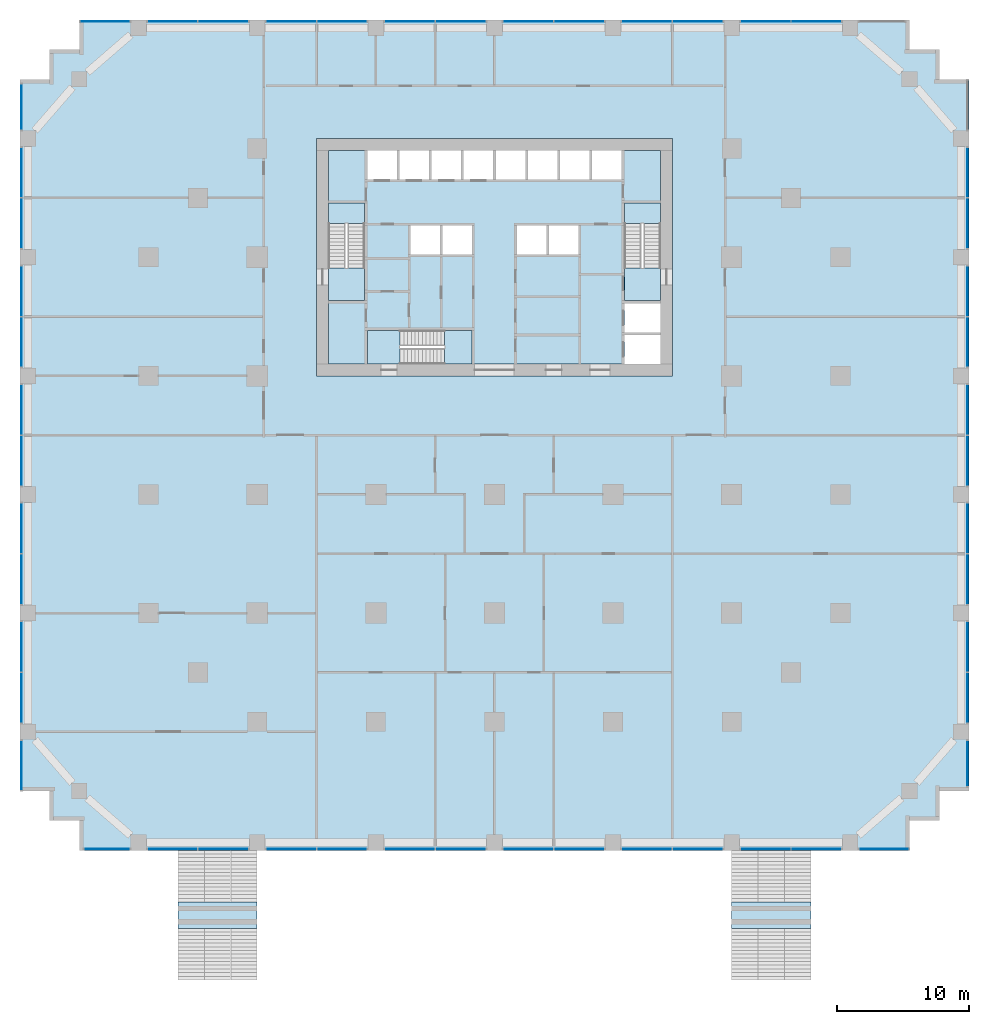
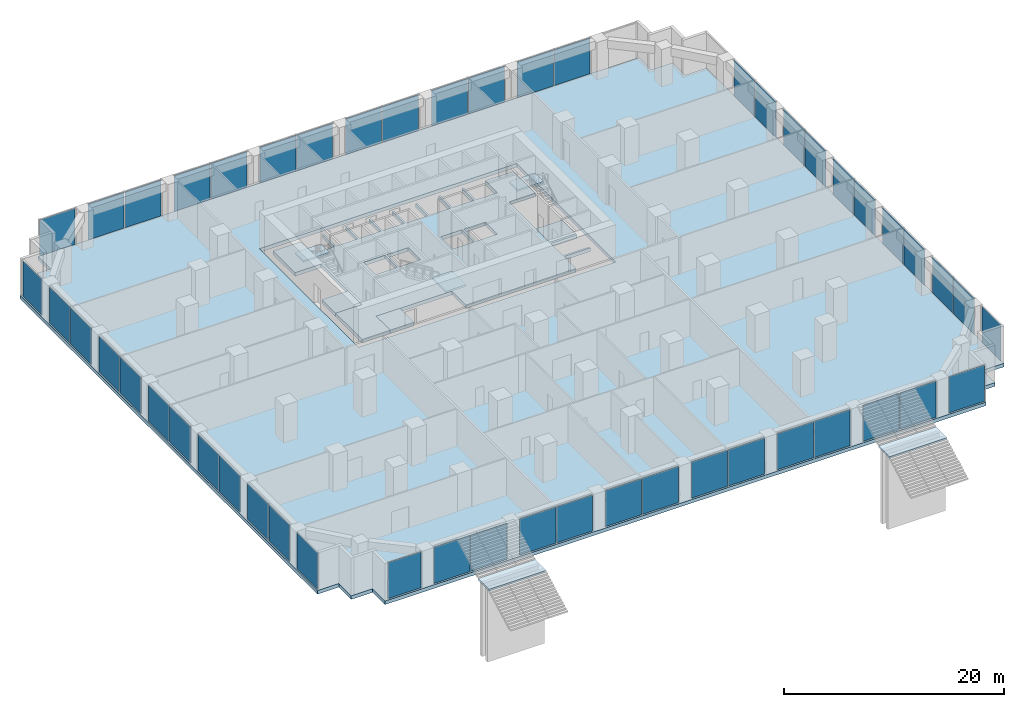
# One storey, part 10 of 18: 50 plates, 10 slabs, 33 elements without a shape of their own.
"""IFC4 building model written with IfcOpenShell, lengths in metres."""

from ifc_helpers import new_model, si_unit, direction, frame, origin, origin_2d, place, context, subcontext, project, spatial, polyline, rectangle, outline, extrude, material, layer, layer_set, type_object, element, aggregate, save


model = new_model("IFC4")

# Units and contexts
model_context = context("Model", 3, precision=1e-05, world=origin(), true_north=direction((0.0, 1.0)))
body_context = subcontext(model_context, "Body", "Model", "MODEL_VIEW")
ifc_project = project(units=[si_unit("LENGTHUNIT", "METRE"), si_unit("AREAUNIT", "SQUARE_METRE"), si_unit("VOLUMEUNIT", "CUBIC_METRE"), si_unit("PLANEANGLEUNIT", "RADIAN"), si_unit("MASSUNIT", "GRAM", prefix="KILO")], contexts=[model_context])

# Site, building, storey
site_placement = place(None, origin())
site = spatial("IfcSite", under=ifc_project, at=site_placement, CompositionType="ELEMENT")
building_placement = place(site_placement, origin())
building = spatial("IfcBuilding", under=site, at=building_placement, Name="Orbiselva Terraces", CompositionType="ELEMENT")
storey_placement = place(building_placement, frame((0.0, 0.0, 6.0)))
storey = spatial("IfcBuildingStorey", under=building, at=storey_placement, Name="L01", CompositionType="ELEMENT", Elevation=6.0)

# Slabs
ifc_material_1 = material(Name="Concrete C40/50", Category="concrete")
ifc_layer_1 = layer(ifc_material_1, 0.4)
ifc_layer_set_1 = layer_set([ifc_layer_1], Name="Concrete C40/50")
slab_type_1 = type_object("IfcSlabType", Name="CORE-SLAB-FLOOR-400", PredefinedType="FLOOR", material=ifc_layer_set_1)
slab_1_placement = place(storey_placement, frame((0.0, 0.0, -0.4)))
element("IfcSlab", 1, at=slab_1_placement, inside=storey, type_object=slab_type_1, Name="L01 S1 floor landing", PredefinedType="FLOOR", context=body_context, shape_type="SweptSolid", body=[
    extrude(outline(polyline([(-12.6, 12.7), (-9.85, 12.7), (-9.85, 10.2), (-12.6, 10.2), (-12.6, 12.7)])), origin(), (0.0, 0.0, 1.0), 0.4),
])
slab_2_placement = place(storey_placement, frame((0.0, 0.0, -0.4)))
element("IfcSlab", 2, at=slab_2_placement, inside=storey, type_object=slab_type_1, Name="L01 S2 floor landing", PredefinedType="FLOOR", context=body_context, shape_type="SweptSolid", body=[
    extrude(outline(polyline([(12.6, 12.7), (12.6, 10.2), (9.85, 10.2), (9.85, 12.7), (12.6, 12.7)])), origin(), (0.0, 0.0, 1.0), 0.4),
])
slab_3_placement = place(storey_placement, frame((0.0, 0.0, -0.4)))
element("IfcSlab", 3, at=slab_3_placement, inside=storey, type_object=slab_type_1, Name="L01 S3 floor landing", PredefinedType="FLOOR", context=body_context, shape_type="SweptSolid", body=[
    extrude(outline(polyline([(-7.15, 5.4), (-9.65, 5.4), (-9.65, 7.95), (-7.15, 7.95), (-7.15, 5.4)])), origin(), (0.0, 0.0, 1.0), 0.4),
])
slab_4_placement = place(storey_placement, frame((0.0, 0.0, -0.4)))
element("IfcSlab", 4, at=slab_4_placement, inside=storey, type_object=slab_type_1, Name="L01 core floor slab 1", PredefinedType="FLOOR", context=body_context, shape_type="SweptSolid", body=[
    extrude(outline(polyline([(-1.7, 5.4), (-1.7, 7.95), (-9.65, 7.95), (-9.65, 5.4), (-12.6, 5.4), (-12.6, 10.2), (-9.85, 10.2), (-9.85, 17.6), (-12.6, 17.6), (-12.6, 21.6), (-9.65, 21.6), (-9.65, 19.4), (-7.4125, 19.4), (-7.4125, 21.6), (-7.2125, 21.6), (-7.2125, 19.4), (-4.975, 19.4), (-4.975, 21.6), (-4.775, 21.6), (-4.775, 19.4), (-2.5375, 19.4), (-2.5375, 21.6), (-2.3375, 21.6), (-2.3375, 19.4), (-0.1, 19.4), (-0.1, 21.6), (0.1, 21.6), (0.1, 19.4), (2.3375, 19.4), (2.3375, 21.6), (2.5375, 21.6), (2.5375, 19.4), (4.775, 19.4), (4.775, 21.6), (4.975, 21.6), (4.975, 19.4), (7.2125, 19.4), (7.2125, 21.6), (7.4125, 21.6), (7.4125, 19.4), (9.65, 19.4), (9.65, 21.6), (12.6, 21.6), (12.6, 17.6), (9.85, 17.6), (9.85, 10.2), (12.6, 10.2), (12.6, 10.0), (9.85, 10.0), (9.85, 7.8), (12.6, 7.8), (12.6, 7.6), (9.85, 7.6), (9.85, 5.4), (-1.7, 5.4)]), holes=[polyline([(-4.1375, 13.7), (-4.1375, 15.9), (-6.375, 15.9), (-6.375, 13.7), (-4.1375, 13.7)]), polyline([(-1.7, 13.7), (-1.7, 15.9), (-3.9375, 15.9), (-3.9375, 13.7), (-1.7, 13.7)]), polyline([(3.9375, 13.7), (3.9375, 15.9), (1.7, 15.9), (1.7, 13.7), (3.9375, 13.7)]), polyline([(6.375, 13.7), (6.375, 15.9), (4.1375, 15.9), (4.1375, 13.7), (6.375, 13.7)])]), origin(), (0.0, 0.0, 1.0), 0.4),
])

# Stair, slab
stair_type_1 = type_object("IfcStairType", Name="CORE-STAIR-1300", PredefinedType="HALF_TURN_STAIR", material=ifc_material_1)
stair_1_placement = place(storey_placement, origin())
stair_1 = element("IfcStair", 5, at=stair_1_placement, inside=storey, type_object=stair_type_1, Name="L01 Exit Stair S1", PredefinedType="HALF_TURN_STAIR")
ifc_layer_2 = layer(ifc_material_1, 0.2)
ifc_layer_set_2 = layer_set([ifc_layer_2], Name="Concrete C40/50")
slab_type_2 = type_object("IfcSlabType", Name="CORE-STAIR-LANDING-200", PredefinedType="LANDING", material=ifc_layer_set_2)
slab_5_placement = place(storey_placement, frame((0.0, 0.0, 2.05)))
slab_5 = element("IfcSlab", 6, at=slab_5_placement, type_object=slab_type_2, Name="S1 landing 1", PredefinedType="LANDING", context=body_context, shape_type="SweptSolid", body=[
    extrude(outline(polyline([(-9.85, 16.06), (-9.85, 17.6), (-12.6, 17.6), (-12.6, 16.06), (-9.85, 16.06)])), origin(), (0.0, 0.0, 1.0), 0.2),
])
aggregate(stair_1, [slab_5])

stair_2_placement = place(storey_placement, origin())
stair_2 = element("IfcStair", 7, at=stair_2_placement, inside=storey, type_object=stair_type_1, Name="L01 Exit Stair S2", PredefinedType="HALF_TURN_STAIR")
slab_6_placement = place(storey_placement, frame((0.0, 0.0, 2.05)))
slab_6 = element("IfcSlab", 8, at=slab_6_placement, type_object=slab_type_2, Name="S2 landing 1", PredefinedType="LANDING", context=body_context, shape_type="SweptSolid", body=[
    extrude(outline(polyline([(12.6, 16.06), (12.6, 17.6), (9.85, 17.6), (9.85, 16.06), (12.6, 16.06)])), origin(), (0.0, 0.0, 1.0), 0.2),
])
aggregate(stair_2, [slab_6])

stair_type_2 = type_object("IfcStairType", Name="CORE-STAIR-1200", PredefinedType="HALF_TURN_STAIR", material=ifc_material_1)
stair_3_placement = place(storey_placement, origin())
stair_3 = element("IfcStair", 9, at=stair_3_placement, inside=storey, type_object=stair_type_2, Name="L01 Exit Stair S3", PredefinedType="HALF_TURN_STAIR")
slab_7_placement = place(storey_placement, frame((0.0, 0.0, 2.05)))
slab_7 = element("IfcSlab", 10, at=slab_7_placement, type_object=slab_type_2, Name="S3 landing 1", PredefinedType="LANDING", context=body_context, shape_type="SweptSolid", body=[
    extrude(outline(polyline([(-3.79, 5.4), (-1.7, 5.4), (-1.7, 7.95), (-3.79, 7.95), (-3.79, 5.4)])), origin(), (0.0, 0.0, 1.0), 0.2),
])
aggregate(stair_3, [slab_7])

stair_type_3 = type_object("IfcStairType", Name="ENV-BROAD-STAIR", PredefinedType="STRAIGHT_RUN_STAIR", material=ifc_material_1)
stair_4_placement = place(storey_placement, origin())
stair_4 = element("IfcStair", 11, at=stair_4_placement, inside=storey, type_object=stair_type_3, Name="Broad stair 1 upper", PredefinedType="STRAIGHT_RUN_STAIR")
ifc_layer_3 = layer(ifc_material_1, 0.2)
ifc_layer_set_3 = layer_set([ifc_layer_3], Name="Concrete C40/50")
slab_type_3 = type_object("IfcSlabType", Name="ENV-BROAD-STAIR-LANDING-200", PredefinedType="LANDING", material=ifc_layer_set_3)
slab_8_placement = place(storey_placement, frame((0.0, 0.0, 2.05)))
slab_8 = element("IfcSlab", 12, at=slab_8_placement, type_object=slab_type_3, Name="BR1 landing 1", PredefinedType="LANDING", context=body_context, shape_type="SweptSolid", body=[
    extrude(outline(polyline([(-24.0, -37.42), (-18.0, -37.42), (-18.0, -35.42), (-24.0, -35.42), (-24.0, -37.42)])), origin(), (0.0, 0.0, 1.0), 0.2),
])
aggregate(stair_4, [slab_8])

stair_5_placement = place(storey_placement, origin())
stair_5 = element("IfcStair", 13, at=stair_5_placement, inside=storey, type_object=stair_type_3, Name="Broad stair 2 upper", PredefinedType="STRAIGHT_RUN_STAIR")
slab_9_placement = place(storey_placement, frame((0.0, 0.0, 2.05)))
slab_9 = element("IfcSlab", 14, at=slab_9_placement, type_object=slab_type_3, Name="BR1 landing 1", PredefinedType="LANDING", context=body_context, shape_type="SweptSolid", body=[
    extrude(outline(polyline([(18.0, -37.42), (24.0, -37.42), (24.0, -35.42), (18.0, -35.42), (18.0, -37.42)])), origin(), (0.0, 0.0, 1.0), 0.2),
])
aggregate(stair_5, [slab_9])

# Curtain wall, plate
ifc_material_2 = material(Name="Clear low-e glazing in aluminium frame", Category="aluminium")
curtain_wall_type = type_object("IfcCurtainWallType", Name="ENV-CW-LOBBY", PredefinedType="NOTDEFINED", material=ifc_material_2)
curtain_wall_1_placement = place(storey_placement, origin())
curtain_wall_1 = element("IfcCurtainWall", 15, at=curtain_wall_1_placement, inside=storey, type_object=curtain_wall_type, Name="Curtain wall L01 S", PredefinedType="NOTDEFINED")
ifc_material_3 = material(Name="Clear low-e glass", Category="glass")
ifc_layer_4 = layer(ifc_material_3, 0.028)
ifc_layer_set_4 = layer_set([ifc_layer_4], Name="Clear low-e glass")
plate_type = type_object("IfcPlateType", Name="ENV-CW-LOBBY-PANEL-28", PredefinedType="CURTAIN_PANEL", material=ifc_layer_set_4)
plate_1_placement = place(storey_placement, frame((-29.4, -31.4, 0.075), z_axis=(0.0, 0.0, 1.0), x_axis=(1.0, 0.0, 0.0)))
plate_1 = element("IfcPlate", 16, at=plate_1_placement, type_object=plate_type, Name="CW1 panel 1.1", PredefinedType="CURTAIN_PANEL", context=body_context, shape_type="SweptSolid", body=[
    extrude(rectangle(XDim=3.45, YDim=0.028, at=origin_2d()), origin(), (0.0, 0.0, 1.0), 4.0),
])
aggregate(curtain_wall_1, [plate_1])

# Curtain wall, plates
curtain_wall_2_placement = place(storey_placement, origin())
curtain_wall_2 = element("IfcCurtainWall", 17, at=curtain_wall_2_placement, inside=storey, type_object=curtain_wall_type, Name="Curtain wall L01 S", PredefinedType="NOTDEFINED")
plate_2_placement = place(storey_placement, frame((-24.43125, -31.4, 0.075), z_axis=(0.0, 0.0, 1.0), x_axis=(1.0, 0.0, 0.0)))
plate_2 = element("IfcPlate", 18, at=plate_2_placement, type_object=plate_type, Name="CW1 panel 1.1", PredefinedType="CURTAIN_PANEL", context=body_context, shape_type="SweptSolid", body=[
    extrude(rectangle(XDim=3.7875, YDim=0.028, at=origin_2d()), origin(), (0.0, 0.0, 1.0), 4.0),
])
plate_3_placement = place(storey_placement, frame((-20.56875, -31.4, 0.075), z_axis=(0.0, 0.0, 1.0), x_axis=(1.0, 0.0, 0.0)))
plate_3 = element("IfcPlate", 19, at=plate_3_placement, type_object=plate_type, Name="CW1 panel 2.1", PredefinedType="CURTAIN_PANEL", context=body_context, shape_type="SweptSolid", body=[
    extrude(rectangle(XDim=3.7875, YDim=0.028, at=origin_2d()), origin(), (0.0, 0.0, 1.0), 4.0),
])
aggregate(curtain_wall_2, [plate_2, plate_3])

curtain_wall_3_placement = place(storey_placement, origin())
curtain_wall_3 = element("IfcCurtainWall", 20, at=curtain_wall_3_placement, inside=storey, type_object=curtain_wall_type, Name="Curtain wall L01 S", PredefinedType="NOTDEFINED")
plate_4_placement = place(storey_placement, frame((-15.43125, -31.4, 0.075), z_axis=(0.0, 0.0, 1.0), x_axis=(1.0, 0.0, 0.0)))
plate_4 = element("IfcPlate", 21, at=plate_4_placement, type_object=plate_type, Name="CW1 panel 1.1", PredefinedType="CURTAIN_PANEL", context=body_context, shape_type="SweptSolid", body=[
    extrude(rectangle(XDim=3.7875, YDim=0.028, at=origin_2d()), origin(), (0.0, 0.0, 1.0), 4.0),
])
plate_5_placement = place(storey_placement, frame((-11.56875, -31.4, 0.075), z_axis=(0.0, 0.0, 1.0), x_axis=(1.0, 0.0, 0.0)))
plate_5 = element("IfcPlate", 22, at=plate_5_placement, type_object=plate_type, Name="CW1 panel 2.1", PredefinedType="CURTAIN_PANEL", context=body_context, shape_type="SweptSolid", body=[
    extrude(rectangle(XDim=3.7875, YDim=0.028, at=origin_2d()), origin(), (0.0, 0.0, 1.0), 4.0),
])
aggregate(curtain_wall_3, [plate_4, plate_5])

curtain_wall_4_placement = place(storey_placement, origin())
curtain_wall_4 = element("IfcCurtainWall", 23, at=curtain_wall_4_placement, inside=storey, type_object=curtain_wall_type, Name="Curtain wall L01 S", PredefinedType="NOTDEFINED")
plate_6_placement = place(storey_placement, frame((-6.43125, -31.4, 0.075), z_axis=(0.0, 0.0, 1.0), x_axis=(1.0, 0.0, 0.0)))
plate_6 = element("IfcPlate", 24, at=plate_6_placement, type_object=plate_type, Name="CW1 panel 1.1", PredefinedType="CURTAIN_PANEL", context=body_context, shape_type="SweptSolid", body=[
    extrude(rectangle(XDim=3.7875, YDim=0.028, at=origin_2d()), origin(), (0.0, 0.0, 1.0), 4.0),
])
plate_7_placement = place(storey_placement, frame((-2.56875, -31.4, 0.075), z_axis=(0.0, 0.0, 1.0), x_axis=(1.0, 0.0, 0.0)))
plate_7 = element("IfcPlate", 25, at=plate_7_placement, type_object=plate_type, Name="CW1 panel 2.1", PredefinedType="CURTAIN_PANEL", context=body_context, shape_type="SweptSolid", body=[
    extrude(rectangle(XDim=3.7875, YDim=0.028, at=origin_2d()), origin(), (0.0, 0.0, 1.0), 4.0),
])
aggregate(curtain_wall_4, [plate_6, plate_7])

curtain_wall_5_placement = place(storey_placement, origin())
curtain_wall_5 = element("IfcCurtainWall", 26, at=curtain_wall_5_placement, inside=storey, type_object=curtain_wall_type, Name="Curtain wall L01 S", PredefinedType="NOTDEFINED")
plate_8_placement = place(storey_placement, frame((2.56875, -31.4, 0.075), z_axis=(0.0, 0.0, 1.0), x_axis=(1.0, 0.0, 0.0)))
plate_8 = element("IfcPlate", 27, at=plate_8_placement, type_object=plate_type, Name="CW1 panel 1.1", PredefinedType="CURTAIN_PANEL", context=body_context, shape_type="SweptSolid", body=[
    extrude(rectangle(XDim=3.7875, YDim=0.028, at=origin_2d()), origin(), (0.0, 0.0, 1.0), 4.0),
])
plate_9_placement = place(storey_placement, frame((6.43125, -31.4, 0.075), z_axis=(0.0, 0.0, 1.0), x_axis=(1.0, 0.0, 0.0)))
plate_9 = element("IfcPlate", 28, at=plate_9_placement, type_object=plate_type, Name="CW1 panel 2.1", PredefinedType="CURTAIN_PANEL", context=body_context, shape_type="SweptSolid", body=[
    extrude(rectangle(XDim=3.7875, YDim=0.028, at=origin_2d()), origin(), (0.0, 0.0, 1.0), 4.0),
])
aggregate(curtain_wall_5, [plate_8, plate_9])

curtain_wall_6_placement = place(storey_placement, origin())
curtain_wall_6 = element("IfcCurtainWall", 29, at=curtain_wall_6_placement, inside=storey, type_object=curtain_wall_type, Name="Curtain wall L01 S", PredefinedType="NOTDEFINED")
plate_10_placement = place(storey_placement, frame((11.56875, -31.4, 0.075), z_axis=(0.0, 0.0, 1.0), x_axis=(1.0, 0.0, 0.0)))
plate_10 = element("IfcPlate", 30, at=plate_10_placement, type_object=plate_type, Name="CW1 panel 1.1", PredefinedType="CURTAIN_PANEL", context=body_context, shape_type="SweptSolid", body=[
    extrude(rectangle(XDim=3.7875, YDim=0.028, at=origin_2d()), origin(), (0.0, 0.0, 1.0), 4.0),
])
plate_11_placement = place(storey_placement, frame((15.43125, -31.4, 0.075), z_axis=(0.0, 0.0, 1.0), x_axis=(1.0, 0.0, 0.0)))
plate_11 = element("IfcPlate", 31, at=plate_11_placement, type_object=plate_type, Name="CW1 panel 2.1", PredefinedType="CURTAIN_PANEL", context=body_context, shape_type="SweptSolid", body=[
    extrude(rectangle(XDim=3.7875, YDim=0.028, at=origin_2d()), origin(), (0.0, 0.0, 1.0), 4.0),
])
aggregate(curtain_wall_6, [plate_10, plate_11])

curtain_wall_7_placement = place(storey_placement, origin())
curtain_wall_7 = element("IfcCurtainWall", 32, at=curtain_wall_7_placement, inside=storey, type_object=curtain_wall_type, Name="Curtain wall L01 S", PredefinedType="NOTDEFINED")
plate_12_placement = place(storey_placement, frame((20.56875, -31.4, 0.075), z_axis=(0.0, 0.0, 1.0), x_axis=(1.0, 0.0, 0.0)))
plate_12 = element("IfcPlate", 33, at=plate_12_placement, type_object=plate_type, Name="CW1 panel 1.1", PredefinedType="CURTAIN_PANEL", context=body_context, shape_type="SweptSolid", body=[
    extrude(rectangle(XDim=3.7875, YDim=0.028, at=origin_2d()), origin(), (0.0, 0.0, 1.0), 4.0),
])
plate_13_placement = place(storey_placement, frame((24.43125, -31.4, 0.075), z_axis=(0.0, 0.0, 1.0), x_axis=(1.0, 0.0, 0.0)))
plate_13 = element("IfcPlate", 34, at=plate_13_placement, type_object=plate_type, Name="CW1 panel 2.1", PredefinedType="CURTAIN_PANEL", context=body_context, shape_type="SweptSolid", body=[
    extrude(rectangle(XDim=3.7875, YDim=0.028, at=origin_2d()), origin(), (0.0, 0.0, 1.0), 4.0),
])
aggregate(curtain_wall_7, [plate_12, plate_13])

# Curtain wall, plate
curtain_wall_8_placement = place(storey_placement, origin())
curtain_wall_8 = element("IfcCurtainWall", 35, at=curtain_wall_8_placement, inside=storey, type_object=curtain_wall_type, Name="Curtain wall L01 S", PredefinedType="NOTDEFINED")
plate_14_placement = place(storey_placement, frame((29.55, -31.4, 0.075), z_axis=(0.0, 0.0, 1.0), x_axis=(1.0, 0.0, 0.0)))
plate_14 = element("IfcPlate", 36, at=plate_14_placement, type_object=plate_type, Name="CW1 panel 1.1", PredefinedType="CURTAIN_PANEL", context=body_context, shape_type="SweptSolid", body=[
    extrude(rectangle(XDim=3.75, YDim=0.028, at=origin_2d()), origin(), (0.0, 0.0, 1.0), 4.0),
])
aggregate(curtain_wall_8, [plate_14])

curtain_wall_9_placement = place(storey_placement, origin())
curtain_wall_9 = element("IfcCurtainWall", 37, at=curtain_wall_9_placement, inside=storey, type_object=curtain_wall_type, Name="Curtain wall L01 E", PredefinedType="NOTDEFINED")
plate_15_placement = place(storey_placement, frame((35.9, -24.9, 0.075), z_axis=(0.0, 0.0, 1.0), x_axis=(0.0, 1.0, 0.0)))
plate_15 = element("IfcPlate", 38, at=plate_15_placement, type_object=plate_type, Name="CW1 panel 1.1", PredefinedType="CURTAIN_PANEL", context=body_context, shape_type="SweptSolid", body=[
    extrude(rectangle(XDim=3.45, YDim=0.028, at=origin_2d()), origin(), (0.0, 0.0, 1.0), 4.0),
])
aggregate(curtain_wall_9, [plate_15])

# Curtain wall, plates
curtain_wall_10_placement = place(storey_placement, origin())
curtain_wall_10 = element("IfcCurtainWall", 39, at=curtain_wall_10_placement, inside=storey, type_object=curtain_wall_type, Name="Curtain wall L01 E", PredefinedType="NOTDEFINED")
plate_16_placement = place(storey_placement, frame((35.9, -19.93125, 0.075), z_axis=(0.0, 0.0, 1.0), x_axis=(0.0, 1.0, 0.0)))
plate_16 = element("IfcPlate", 40, at=plate_16_placement, type_object=plate_type, Name="CW1 panel 1.1", PredefinedType="CURTAIN_PANEL", context=body_context, shape_type="SweptSolid", body=[
    extrude(rectangle(XDim=3.7875, YDim=0.028, at=origin_2d()), origin(), (0.0, 0.0, 1.0), 4.0),
])
plate_17_placement = place(storey_placement, frame((35.9, -16.06875, 0.075), z_axis=(0.0, 0.0, 1.0), x_axis=(0.0, 1.0, 0.0)))
plate_17 = element("IfcPlate", 41, at=plate_17_placement, type_object=plate_type, Name="CW1 panel 2.1", PredefinedType="CURTAIN_PANEL", context=body_context, shape_type="SweptSolid", body=[
    extrude(rectangle(XDim=3.7875, YDim=0.028, at=origin_2d()), origin(), (0.0, 0.0, 1.0), 4.0),
])
aggregate(curtain_wall_10, [plate_16, plate_17])

curtain_wall_11_placement = place(storey_placement, origin())
curtain_wall_11 = element("IfcCurtainWall", 42, at=curtain_wall_11_placement, inside=storey, type_object=curtain_wall_type, Name="Curtain wall L01 E", PredefinedType="NOTDEFINED")
plate_18_placement = place(storey_placement, frame((35.9, -10.93125, 0.075), z_axis=(0.0, 0.0, 1.0), x_axis=(0.0, 1.0, 0.0)))
plate_18 = element("IfcPlate", 43, at=plate_18_placement, type_object=plate_type, Name="CW1 panel 1.1", PredefinedType="CURTAIN_PANEL", context=body_context, shape_type="SweptSolid", body=[
    extrude(rectangle(XDim=3.7875, YDim=0.028, at=origin_2d()), origin(), (0.0, 0.0, 1.0), 4.0),
])
plate_19_placement = place(storey_placement, frame((35.9, -7.06875, 0.075), z_axis=(0.0, 0.0, 1.0), x_axis=(0.0, 1.0, 0.0)))
plate_19 = element("IfcPlate", 44, at=plate_19_placement, type_object=plate_type, Name="CW1 panel 2.1", PredefinedType="CURTAIN_PANEL", context=body_context, shape_type="SweptSolid", body=[
    extrude(rectangle(XDim=3.7875, YDim=0.028, at=origin_2d()), origin(), (0.0, 0.0, 1.0), 4.0),
])
aggregate(curtain_wall_11, [plate_18, plate_19])

curtain_wall_12_placement = place(storey_placement, origin())
curtain_wall_12 = element("IfcCurtainWall", 45, at=curtain_wall_12_placement, inside=storey, type_object=curtain_wall_type, Name="Curtain wall L01 E", PredefinedType="NOTDEFINED")
plate_20_placement = place(storey_placement, frame((35.9, -1.93125, 0.075), z_axis=(0.0, 0.0, 1.0), x_axis=(0.0, 1.0, 0.0)))
plate_20 = element("IfcPlate", 46, at=plate_20_placement, type_object=plate_type, Name="CW1 panel 1.1", PredefinedType="CURTAIN_PANEL", context=body_context, shape_type="SweptSolid", body=[
    extrude(rectangle(XDim=3.7875, YDim=0.028, at=origin_2d()), origin(), (0.0, 0.0, 1.0), 4.0),
])
plate_21_placement = place(storey_placement, frame((35.9, 1.93125, 0.075), z_axis=(0.0, 0.0, 1.0), x_axis=(0.0, 1.0, 0.0)))
plate_21 = element("IfcPlate", 47, at=plate_21_placement, type_object=plate_type, Name="CW1 panel 2.1", PredefinedType="CURTAIN_PANEL", context=body_context, shape_type="SweptSolid", body=[
    extrude(rectangle(XDim=3.7875, YDim=0.028, at=origin_2d()), origin(), (0.0, 0.0, 1.0), 4.0),
])
aggregate(curtain_wall_12, [plate_20, plate_21])

curtain_wall_13_placement = place(storey_placement, origin())
curtain_wall_13 = element("IfcCurtainWall", 48, at=curtain_wall_13_placement, inside=storey, type_object=curtain_wall_type, Name="Curtain wall L01 E", PredefinedType="NOTDEFINED")
plate_22_placement = place(storey_placement, frame((35.9, 7.06875, 0.075), z_axis=(0.0, 0.0, 1.0), x_axis=(0.0, 1.0, 0.0)))
plate_22 = element("IfcPlate", 49, at=plate_22_placement, type_object=plate_type, Name="CW1 panel 1.1", PredefinedType="CURTAIN_PANEL", context=body_context, shape_type="SweptSolid", body=[
    extrude(rectangle(XDim=3.7875, YDim=0.028, at=origin_2d()), origin(), (0.0, 0.0, 1.0), 4.0),
])
plate_23_placement = place(storey_placement, frame((35.9, 10.93125, 0.075), z_axis=(0.0, 0.0, 1.0), x_axis=(0.0, 1.0, 0.0)))
plate_23 = element("IfcPlate", 50, at=plate_23_placement, type_object=plate_type, Name="CW1 panel 2.1", PredefinedType="CURTAIN_PANEL", context=body_context, shape_type="SweptSolid", body=[
    extrude(rectangle(XDim=3.7875, YDim=0.028, at=origin_2d()), origin(), (0.0, 0.0, 1.0), 4.0),
])
aggregate(curtain_wall_13, [plate_22, plate_23])

curtain_wall_14_placement = place(storey_placement, origin())
curtain_wall_14 = element("IfcCurtainWall", 51, at=curtain_wall_14_placement, inside=storey, type_object=curtain_wall_type, Name="Curtain wall L01 E", PredefinedType="NOTDEFINED")
plate_24_placement = place(storey_placement, frame((35.9, 16.06875, 0.075), z_axis=(0.0, 0.0, 1.0), x_axis=(0.0, 1.0, 0.0)))
plate_24 = element("IfcPlate", 52, at=plate_24_placement, type_object=plate_type, Name="CW1 panel 1.1", PredefinedType="CURTAIN_PANEL", context=body_context, shape_type="SweptSolid", body=[
    extrude(rectangle(XDim=3.7875, YDim=0.028, at=origin_2d()), origin(), (0.0, 0.0, 1.0), 4.0),
])
plate_25_placement = place(storey_placement, frame((35.9, 19.93125, 0.075), z_axis=(0.0, 0.0, 1.0), x_axis=(0.0, 1.0, 0.0)))
plate_25 = element("IfcPlate", 53, at=plate_25_placement, type_object=plate_type, Name="CW1 panel 2.1", PredefinedType="CURTAIN_PANEL", context=body_context, shape_type="SweptSolid", body=[
    extrude(rectangle(XDim=3.7875, YDim=0.028, at=origin_2d()), origin(), (0.0, 0.0, 1.0), 4.0),
])
aggregate(curtain_wall_14, [plate_24, plate_25])

curtain_wall_15_placement = place(storey_placement, origin())
curtain_wall_15 = element("IfcCurtainWall", 54, at=curtain_wall_15_placement, inside=storey, type_object=curtain_wall_type, Name="Curtain wall L01 N", PredefinedType="NOTDEFINED")
plate_26_placement = place(storey_placement, frame((24.43125, 31.4, 0.075), z_axis=(0.0, 0.0, 1.0), x_axis=(-1.0, 0.0, 0.0)))
plate_26 = element("IfcPlate", 55, at=plate_26_placement, type_object=plate_type, Name="CW1 panel 1.1", PredefinedType="CURTAIN_PANEL", context=body_context, shape_type="SweptSolid", body=[
    extrude(rectangle(XDim=3.7875, YDim=0.028, at=origin_2d()), origin(), (0.0, 0.0, 1.0), 4.0),
])
plate_27_placement = place(storey_placement, frame((20.56875, 31.4, 0.075), z_axis=(0.0, 0.0, 1.0), x_axis=(-1.0, 0.0, 0.0)))
plate_27 = element("IfcPlate", 56, at=plate_27_placement, type_object=plate_type, Name="CW1 panel 2.1", PredefinedType="CURTAIN_PANEL", context=body_context, shape_type="SweptSolid", body=[
    extrude(rectangle(XDim=3.7875, YDim=0.028, at=origin_2d()), origin(), (0.0, 0.0, 1.0), 4.0),
])
aggregate(curtain_wall_15, [plate_26, plate_27])

curtain_wall_16_placement = place(storey_placement, origin())
curtain_wall_16 = element("IfcCurtainWall", 57, at=curtain_wall_16_placement, inside=storey, type_object=curtain_wall_type, Name="Curtain wall L01 N", PredefinedType="NOTDEFINED")
plate_28_placement = place(storey_placement, frame((15.43125, 31.4, 0.075), z_axis=(0.0, 0.0, 1.0), x_axis=(-1.0, 0.0, 0.0)))
plate_28 = element("IfcPlate", 58, at=plate_28_placement, type_object=plate_type, Name="CW1 panel 1.1", PredefinedType="CURTAIN_PANEL", context=body_context, shape_type="SweptSolid", body=[
    extrude(rectangle(XDim=3.7875, YDim=0.028, at=origin_2d()), origin(), (0.0, 0.0, 1.0), 4.0),
])
plate_29_placement = place(storey_placement, frame((11.56875, 31.4, 0.075), z_axis=(0.0, 0.0, 1.0), x_axis=(-1.0, 0.0, 0.0)))
plate_29 = element("IfcPlate", 59, at=plate_29_placement, type_object=plate_type, Name="CW1 panel 2.1", PredefinedType="CURTAIN_PANEL", context=body_context, shape_type="SweptSolid", body=[
    extrude(rectangle(XDim=3.7875, YDim=0.028, at=origin_2d()), origin(), (0.0, 0.0, 1.0), 4.0),
])
aggregate(curtain_wall_16, [plate_28, plate_29])

curtain_wall_17_placement = place(storey_placement, origin())
curtain_wall_17 = element("IfcCurtainWall", 60, at=curtain_wall_17_placement, inside=storey, type_object=curtain_wall_type, Name="Curtain wall L01 N", PredefinedType="NOTDEFINED")
plate_30_placement = place(storey_placement, frame((6.43125, 31.4, 0.075), z_axis=(0.0, 0.0, 1.0), x_axis=(-1.0, 0.0, 0.0)))
plate_30 = element("IfcPlate", 61, at=plate_30_placement, type_object=plate_type, Name="CW1 panel 1.1", PredefinedType="CURTAIN_PANEL", context=body_context, shape_type="SweptSolid", body=[
    extrude(rectangle(XDim=3.7875, YDim=0.028, at=origin_2d()), origin(), (0.0, 0.0, 1.0), 4.0),
])
plate_31_placement = place(storey_placement, frame((2.56875, 31.4, 0.075), z_axis=(0.0, 0.0, 1.0), x_axis=(-1.0, 0.0, 0.0)))
plate_31 = element("IfcPlate", 62, at=plate_31_placement, type_object=plate_type, Name="CW1 panel 2.1", PredefinedType="CURTAIN_PANEL", context=body_context, shape_type="SweptSolid", body=[
    extrude(rectangle(XDim=3.7875, YDim=0.028, at=origin_2d()), origin(), (0.0, 0.0, 1.0), 4.0),
])
aggregate(curtain_wall_17, [plate_30, plate_31])

curtain_wall_18_placement = place(storey_placement, origin())
curtain_wall_18 = element("IfcCurtainWall", 63, at=curtain_wall_18_placement, inside=storey, type_object=curtain_wall_type, Name="Curtain wall L01 N", PredefinedType="NOTDEFINED")
plate_32_placement = place(storey_placement, frame((-2.56875, 31.4, 0.075), z_axis=(0.0, 0.0, 1.0), x_axis=(-1.0, 0.0, 0.0)))
plate_32 = element("IfcPlate", 64, at=plate_32_placement, type_object=plate_type, Name="CW1 panel 1.1", PredefinedType="CURTAIN_PANEL", context=body_context, shape_type="SweptSolid", body=[
    extrude(rectangle(XDim=3.7875, YDim=0.028, at=origin_2d()), origin(), (0.0, 0.0, 1.0), 4.0),
])
plate_33_placement = place(storey_placement, frame((-6.43125, 31.4, 0.075), z_axis=(0.0, 0.0, 1.0), x_axis=(-1.0, 0.0, 0.0)))
plate_33 = element("IfcPlate", 65, at=plate_33_placement, type_object=plate_type, Name="CW1 panel 2.1", PredefinedType="CURTAIN_PANEL", context=body_context, shape_type="SweptSolid", body=[
    extrude(rectangle(XDim=3.7875, YDim=0.028, at=origin_2d()), origin(), (0.0, 0.0, 1.0), 4.0),
])
aggregate(curtain_wall_18, [plate_32, plate_33])

curtain_wall_19_placement = place(storey_placement, origin())
curtain_wall_19 = element("IfcCurtainWall", 66, at=curtain_wall_19_placement, inside=storey, type_object=curtain_wall_type, Name="Curtain wall L01 N", PredefinedType="NOTDEFINED")
plate_34_placement = place(storey_placement, frame((-11.56875, 31.4, 0.075), z_axis=(0.0, 0.0, 1.0), x_axis=(-1.0, 0.0, 0.0)))
plate_34 = element("IfcPlate", 67, at=plate_34_placement, type_object=plate_type, Name="CW1 panel 1.1", PredefinedType="CURTAIN_PANEL", context=body_context, shape_type="SweptSolid", body=[
    extrude(rectangle(XDim=3.7875, YDim=0.028, at=origin_2d()), origin(), (0.0, 0.0, 1.0), 4.0),
])
plate_35_placement = place(storey_placement, frame((-15.43125, 31.4, 0.075), z_axis=(0.0, 0.0, 1.0), x_axis=(-1.0, 0.0, 0.0)))
plate_35 = element("IfcPlate", 68, at=plate_35_placement, type_object=plate_type, Name="CW1 panel 2.1", PredefinedType="CURTAIN_PANEL", context=body_context, shape_type="SweptSolid", body=[
    extrude(rectangle(XDim=3.7875, YDim=0.028, at=origin_2d()), origin(), (0.0, 0.0, 1.0), 4.0),
])
aggregate(curtain_wall_19, [plate_34, plate_35])

curtain_wall_20_placement = place(storey_placement, origin())
curtain_wall_20 = element("IfcCurtainWall", 69, at=curtain_wall_20_placement, inside=storey, type_object=curtain_wall_type, Name="Curtain wall L01 N", PredefinedType="NOTDEFINED")
plate_36_placement = place(storey_placement, frame((-20.56875, 31.4, 0.075), z_axis=(0.0, 0.0, 1.0), x_axis=(-1.0, 0.0, 0.0)))
plate_36 = element("IfcPlate", 70, at=plate_36_placement, type_object=plate_type, Name="CW1 panel 1.1", PredefinedType="CURTAIN_PANEL", context=body_context, shape_type="SweptSolid", body=[
    extrude(rectangle(XDim=3.7875, YDim=0.028, at=origin_2d()), origin(), (0.0, 0.0, 1.0), 4.0),
])
plate_37_placement = place(storey_placement, frame((-24.43125, 31.4, 0.075), z_axis=(0.0, 0.0, 1.0), x_axis=(-1.0, 0.0, 0.0)))
plate_37 = element("IfcPlate", 71, at=plate_37_placement, type_object=plate_type, Name="CW1 panel 2.1", PredefinedType="CURTAIN_PANEL", context=body_context, shape_type="SweptSolid", body=[
    extrude(rectangle(XDim=3.7875, YDim=0.028, at=origin_2d()), origin(), (0.0, 0.0, 1.0), 4.0),
])
aggregate(curtain_wall_20, [plate_36, plate_37])

# Curtain wall, plate
curtain_wall_21_placement = place(storey_placement, origin())
curtain_wall_21 = element("IfcCurtainWall", 72, at=curtain_wall_21_placement, inside=storey, type_object=curtain_wall_type, Name="Curtain wall L01 N", PredefinedType="NOTDEFINED")
plate_38_placement = place(storey_placement, frame((-29.55, 31.4, 0.075), z_axis=(0.0, 0.0, 1.0), x_axis=(-1.0, 0.0, 0.0)))
plate_38 = element("IfcPlate", 73, at=plate_38_placement, type_object=plate_type, Name="CW1 panel 1.1", PredefinedType="CURTAIN_PANEL", context=body_context, shape_type="SweptSolid", body=[
    extrude(rectangle(XDim=3.75, YDim=0.028, at=origin_2d()), origin(), (0.0, 0.0, 1.0), 4.0),
])
aggregate(curtain_wall_21, [plate_38])

curtain_wall_22_placement = place(storey_placement, origin())
curtain_wall_22 = element("IfcCurtainWall", 74, at=curtain_wall_22_placement, inside=storey, type_object=curtain_wall_type, Name="Curtain wall L01 W", PredefinedType="NOTDEFINED")
plate_39_placement = place(storey_placement, frame((-35.9, 24.9, 0.075), z_axis=(0.0, 0.0, 1.0), x_axis=(0.0, -1.0, 0.0)))
plate_39 = element("IfcPlate", 75, at=plate_39_placement, type_object=plate_type, Name="CW1 panel 1.1", PredefinedType="CURTAIN_PANEL", context=body_context, shape_type="SweptSolid", body=[
    extrude(rectangle(XDim=3.45, YDim=0.028, at=origin_2d()), origin(), (0.0, 0.0, 1.0), 4.0),
])
aggregate(curtain_wall_22, [plate_39])

# Curtain wall, plates
curtain_wall_23_placement = place(storey_placement, origin())
curtain_wall_23 = element("IfcCurtainWall", 76, at=curtain_wall_23_placement, inside=storey, type_object=curtain_wall_type, Name="Curtain wall L01 W", PredefinedType="NOTDEFINED")
plate_40_placement = place(storey_placement, frame((-35.9, 19.93125, 0.075), z_axis=(0.0, 0.0, 1.0), x_axis=(0.0, -1.0, 0.0)))
plate_40 = element("IfcPlate", 77, at=plate_40_placement, type_object=plate_type, Name="CW1 panel 1.1", PredefinedType="CURTAIN_PANEL", context=body_context, shape_type="SweptSolid", body=[
    extrude(rectangle(XDim=3.7875, YDim=0.028, at=origin_2d()), origin(), (0.0, 0.0, 1.0), 4.0),
])
plate_41_placement = place(storey_placement, frame((-35.9, 16.06875, 0.075), z_axis=(0.0, 0.0, 1.0), x_axis=(0.0, -1.0, 0.0)))
plate_41 = element("IfcPlate", 78, at=plate_41_placement, type_object=plate_type, Name="CW1 panel 2.1", PredefinedType="CURTAIN_PANEL", context=body_context, shape_type="SweptSolid", body=[
    extrude(rectangle(XDim=3.7875, YDim=0.028, at=origin_2d()), origin(), (0.0, 0.0, 1.0), 4.0),
])
aggregate(curtain_wall_23, [plate_40, plate_41])

curtain_wall_24_placement = place(storey_placement, origin())
curtain_wall_24 = element("IfcCurtainWall", 79, at=curtain_wall_24_placement, inside=storey, type_object=curtain_wall_type, Name="Curtain wall L01 W", PredefinedType="NOTDEFINED")
plate_42_placement = place(storey_placement, frame((-35.9, 10.93125, 0.075), z_axis=(0.0, 0.0, 1.0), x_axis=(0.0, -1.0, 0.0)))
plate_42 = element("IfcPlate", 80, at=plate_42_placement, type_object=plate_type, Name="CW1 panel 1.1", PredefinedType="CURTAIN_PANEL", context=body_context, shape_type="SweptSolid", body=[
    extrude(rectangle(XDim=3.7875, YDim=0.028, at=origin_2d()), origin(), (0.0, 0.0, 1.0), 4.0),
])
plate_43_placement = place(storey_placement, frame((-35.9, 7.06875, 0.075), z_axis=(0.0, 0.0, 1.0), x_axis=(0.0, -1.0, 0.0)))
plate_43 = element("IfcPlate", 81, at=plate_43_placement, type_object=plate_type, Name="CW1 panel 2.1", PredefinedType="CURTAIN_PANEL", context=body_context, shape_type="SweptSolid", body=[
    extrude(rectangle(XDim=3.7875, YDim=0.028, at=origin_2d()), origin(), (0.0, 0.0, 1.0), 4.0),
])
aggregate(curtain_wall_24, [plate_42, plate_43])

curtain_wall_25_placement = place(storey_placement, origin())
curtain_wall_25 = element("IfcCurtainWall", 82, at=curtain_wall_25_placement, inside=storey, type_object=curtain_wall_type, Name="Curtain wall L01 W", PredefinedType="NOTDEFINED")
plate_44_placement = place(storey_placement, frame((-35.9, 1.93125, 0.075), z_axis=(0.0, 0.0, 1.0), x_axis=(0.0, -1.0, 0.0)))
plate_44 = element("IfcPlate", 83, at=plate_44_placement, type_object=plate_type, Name="CW1 panel 1.1", PredefinedType="CURTAIN_PANEL", context=body_context, shape_type="SweptSolid", body=[
    extrude(rectangle(XDim=3.7875, YDim=0.028, at=origin_2d()), origin(), (0.0, 0.0, 1.0), 4.0),
])
plate_45_placement = place(storey_placement, frame((-35.9, -1.93125, 0.075), z_axis=(0.0, 0.0, 1.0), x_axis=(0.0, -1.0, 0.0)))
plate_45 = element("IfcPlate", 84, at=plate_45_placement, type_object=plate_type, Name="CW1 panel 2.1", PredefinedType="CURTAIN_PANEL", context=body_context, shape_type="SweptSolid", body=[
    extrude(rectangle(XDim=3.7875, YDim=0.028, at=origin_2d()), origin(), (0.0, 0.0, 1.0), 4.0),
])
aggregate(curtain_wall_25, [plate_44, plate_45])

curtain_wall_26_placement = place(storey_placement, origin())
curtain_wall_26 = element("IfcCurtainWall", 85, at=curtain_wall_26_placement, inside=storey, type_object=curtain_wall_type, Name="Curtain wall L01 W", PredefinedType="NOTDEFINED")
plate_46_placement = place(storey_placement, frame((-35.9, -7.06875, 0.075), z_axis=(0.0, 0.0, 1.0), x_axis=(0.0, -1.0, 0.0)))
plate_46 = element("IfcPlate", 86, at=plate_46_placement, type_object=plate_type, Name="CW1 panel 1.1", PredefinedType="CURTAIN_PANEL", context=body_context, shape_type="SweptSolid", body=[
    extrude(rectangle(XDim=3.7875, YDim=0.028, at=origin_2d()), origin(), (0.0, 0.0, 1.0), 4.0),
])
plate_47_placement = place(storey_placement, frame((-35.9, -10.93125, 0.075), z_axis=(0.0, 0.0, 1.0), x_axis=(0.0, -1.0, 0.0)))
plate_47 = element("IfcPlate", 87, at=plate_47_placement, type_object=plate_type, Name="CW1 panel 2.1", PredefinedType="CURTAIN_PANEL", context=body_context, shape_type="SweptSolid", body=[
    extrude(rectangle(XDim=3.7875, YDim=0.028, at=origin_2d()), origin(), (0.0, 0.0, 1.0), 4.0),
])
aggregate(curtain_wall_26, [plate_46, plate_47])

curtain_wall_27_placement = place(storey_placement, origin())
curtain_wall_27 = element("IfcCurtainWall", 88, at=curtain_wall_27_placement, inside=storey, type_object=curtain_wall_type, Name="Curtain wall L01 W", PredefinedType="NOTDEFINED")
plate_48_placement = place(storey_placement, frame((-35.9, -16.06875, 0.075), z_axis=(0.0, 0.0, 1.0), x_axis=(0.0, -1.0, 0.0)))
plate_48 = element("IfcPlate", 89, at=plate_48_placement, type_object=plate_type, Name="CW1 panel 1.1", PredefinedType="CURTAIN_PANEL", context=body_context, shape_type="SweptSolid", body=[
    extrude(rectangle(XDim=3.7875, YDim=0.028, at=origin_2d()), origin(), (0.0, 0.0, 1.0), 4.0),
])
plate_49_placement = place(storey_placement, frame((-35.9, -19.93125, 0.075), z_axis=(0.0, 0.0, 1.0), x_axis=(0.0, -1.0, 0.0)))
plate_49 = element("IfcPlate", 90, at=plate_49_placement, type_object=plate_type, Name="CW1 panel 2.1", PredefinedType="CURTAIN_PANEL", context=body_context, shape_type="SweptSolid", body=[
    extrude(rectangle(XDim=3.7875, YDim=0.028, at=origin_2d()), origin(), (0.0, 0.0, 1.0), 4.0),
])
aggregate(curtain_wall_27, [plate_48, plate_49])

# Curtain wall, plate
curtain_wall_28_placement = place(storey_placement, origin())
curtain_wall_28 = element("IfcCurtainWall", 91, at=curtain_wall_28_placement, inside=storey, type_object=curtain_wall_type, Name="Curtain wall L01 W", PredefinedType="NOTDEFINED")
plate_50_placement = place(storey_placement, frame((-35.9, -25.05, 0.075), z_axis=(0.0, 0.0, 1.0), x_axis=(0.0, -1.0, 0.0)))
plate_50 = element("IfcPlate", 92, at=plate_50_placement, type_object=plate_type, Name="CW1 panel 1.1", PredefinedType="CURTAIN_PANEL", context=body_context, shape_type="SweptSolid", body=[
    extrude(rectangle(XDim=3.75, YDim=0.028, at=origin_2d()), origin(), (0.0, 0.0, 1.0), 4.0),
])
aggregate(curtain_wall_28, [plate_50])

# Slab
ifc_material_4 = material(Name="Concrete C50/60", Category="concrete")
ifc_layer_5 = layer(ifc_material_4, 0.4)
ifc_layer_set_5 = layer_set([ifc_layer_5], Name="Concrete C50/60")
slab_type_4 = type_object("IfcSlabType", Name="FLOOR SLAB 400", PredefinedType="FLOOR", material=ifc_layer_set_5)
slab_10_placement = place(storey_placement, frame((0.0, 0.0, -0.4)))
element("IfcSlab", 93, at=slab_10_placement, inside=storey, type_object=slab_type_4, Name="Floor slab L01", PredefinedType="FLOOR", context=body_context, shape_type="SweptSolid", body=[
    extrude(outline(polyline([(-31.5, -31.5), (31.5, -31.5), (31.5, -29.25), (33.75, -29.25), (33.75, -27.0), (36.0, -27.0), (36.0, 27.0), (33.75, 27.0), (33.75, 29.25), (31.5, 29.25), (31.5, 31.5), (-31.5, 31.5), (-31.5, 29.25), (-33.75, 29.25), (-33.75, 27.0), (-36.0, 27.0), (-36.0, -27.0), (-33.75, -27.0), (-33.75, -29.25), (-31.5, -29.25), (-31.5, -31.5)]), holes=[polyline([(-13.5, 4.5), (13.5, 4.5), (13.5, 22.5), (-13.5, 22.5), (-13.5, 4.5)])]), origin(), (0.0, 0.0, 1.0), 0.4),
])

save(model, "model.ifc")
